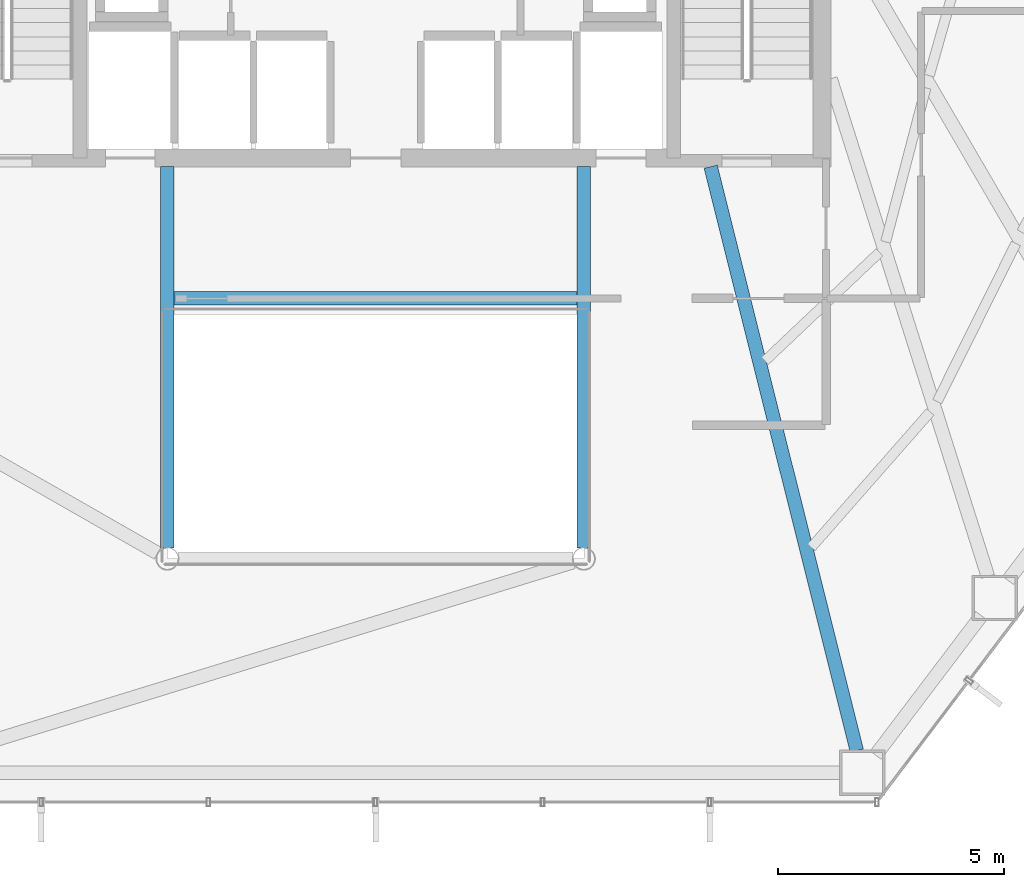
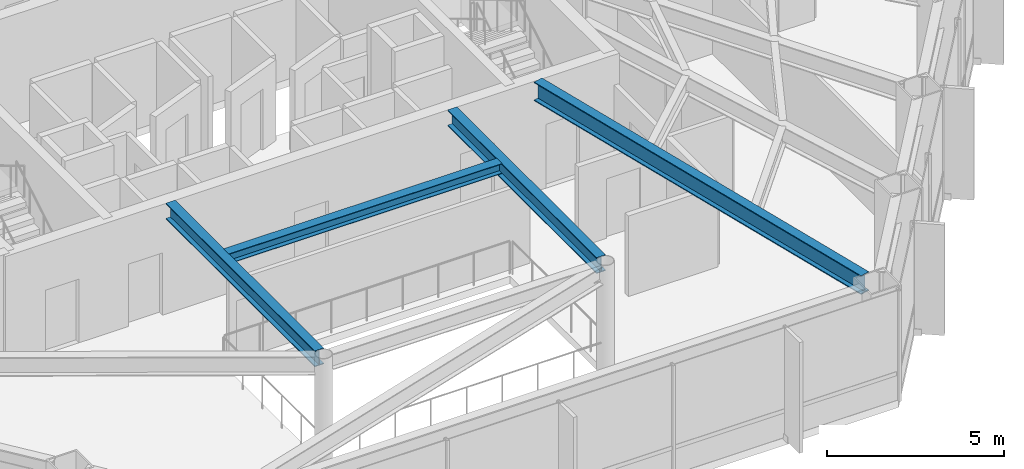
# One storey, part 9 of 25: 4 beams.
"""IFC4 building model written with IfcOpenShell, lengths in metres."""

from ifc_helpers import new_model, si_unit, direction, frame, origin, origin_2d, place, context, subcontext, project, spatial, i_section, extrude, material, material_profile, profile_set, type_object, element, save


model = new_model("IFC4")

# Units and contexts
model_context = context("Model", 3, precision=1e-05, world=origin(), true_north=direction((0.0, 1.0)))
body_context = subcontext(model_context, "Body", "Model", "MODEL_VIEW")
ifc_project = project(units=[si_unit("LENGTHUNIT", "METRE"), si_unit("AREAUNIT", "SQUARE_METRE"), si_unit("VOLUMEUNIT", "CUBIC_METRE"), si_unit("PLANEANGLEUNIT", "RADIAN"), si_unit("MASSUNIT", "GRAM", prefix="KILO")], contexts=[model_context])

# Site, building, storey
site_placement = place(None, origin())
site = spatial("IfcSite", under=ifc_project, at=site_placement, CompositionType="ELEMENT")
building_placement = place(site_placement, origin())
building = spatial("IfcBuilding", under=site, at=building_placement, Name="Zarrinselat Tower", CompositionType="ELEMENT")
storey_placement = place(building_placement, frame((0.0, 0.0, 39.780029296875)))
storey = spatial("IfcBuildingStorey", under=building, at=storey_placement, Name="L09", CompositionType="ELEMENT", Elevation=39.780029296875)

# Beams
ifc_material_1 = material(Name="Steel S355J2", Category="steel")
ifc_material_profile_1 = material_profile(ifc_material_1, i_section(OverallWidth=0.300048828125, OverallDepth=0.35009765625, WebThickness=0.010009765625, FlangeThickness=0.017578125, at=origin_2d()), Name="HEA 360")
ifc_profile_set_1 = profile_set([ifc_material_profile_1], Name="Steel S355J2")
beam_type_1 = type_object("IfcBeamType", Name="BM-HEA360", PredefinedType="LINTEL", material=ifc_profile_set_1)
beam_1_placement = place(storey_placement, frame((33.93994140625, 30.14990234375, 3.64501953125), z_axis=(1.0, 0.0, 0.0), x_axis=(0.0, 1.0, 0.0)))
element("IfcBeam", 1, at=beam_1_placement, inside=storey, type_object=beam_type_1, Name="L09 Lift Lobby Ceiling Beam", PredefinedType="LINTEL", context=body_context, shape_type="SweptSolid", body=[
    extrude(i_section(OverallWidth=0.300048828125, OverallDepth=0.35009765625, WebThickness=0.010009765625, FlangeThickness=0.017578125, at=origin_2d()), origin(), (0.0, 0.0, 1.0), 8.920166015625),
])
ifc_material_2 = material(Name="Steel S355J2", Category="steel")
ifc_material_profile_2 = material_profile(ifc_material_2, i_section(OverallWidth=0.300048828125, OverallDepth=0.550048828125, WebThickness=0.014892578125, FlangeThickness=0.029052734375, at=origin_2d()), Name="HEB 550")
ifc_profile_set_2 = profile_set([ifc_material_profile_2], Name="Steel S355J2")
beam_type_2 = type_object("IfcBeamType", Name="BM-HEB550", PredefinedType="BEAM", material=ifc_profile_set_2)
for number, where, z_axis, x_axis, name in (
    (2, (33.800048828125, 24.639892578125, 3.544921875), (0.0, 1.0, 0.0), (-1.0, 0.0, 0.0), "L09 Atrium Edge Beam W"),
    (3, (43.0, 24.639892578125, 3.544921875), (0.0, 1.0, 0.0), (-1.0, 0.0, 0.0), "L09 Atrium Edge Beam E"),
):
    element("IfcBeam", number, at=place(storey_placement, frame(where, z_axis=z_axis, x_axis=x_axis)), inside=storey, type_object=beam_type_2, Name=name, PredefinedType="BEAM", context=body_context, shape_type="SweptSolid", body=[
        extrude(i_section(OverallWidth=0.300048828125, OverallDepth=0.550048828125, WebThickness=0.014892578125, FlangeThickness=0.029052734375, at=origin_2d()), origin(), (0.0, 0.0, 1.0), 8.420166015625),
    ])
ifc_material_3 = material(Name="Steel S355J2", Category="steel")
ifc_material_profile_3 = material_profile(ifc_material_3, i_section(OverallWidth=0.300048828125, OverallDepth=0.64990234375, WebThickness=0.01611328125, FlangeThickness=0.031005859375, at=origin_2d()), Name="HEB 650")
ifc_profile_set_3 = profile_set([ifc_material_profile_3], Name="Steel S355J2")
beam_type_3 = type_object("IfcBeamType", Name="BM-HEB650", PredefinedType="BEAM", material=ifc_profile_set_3)
beam_2_placement = place(storey_placement, frame((45.800048828125, 33.06005859375, 3.494873046875), z_axis=(0.242868228579, -0.970059288676, 0.0), x_axis=(0.970059288676, 0.242868228579, 0.0)))
element("IfcBeam", 4, at=beam_2_placement, inside=storey, type_object=beam_type_3, Name="L09 Radial Primary Girder RG11", PredefinedType="BEAM", context=body_context, shape_type="SweptSolid", body=[
    extrude(i_section(OverallWidth=0.300048828125, OverallDepth=0.64990234375, WebThickness=0.01611328125, FlangeThickness=0.031005859375, at=origin_2d()), origin(), (0.0, 0.0, 1.0), 13.29833984375),
])

save(model, "model.ifc")
